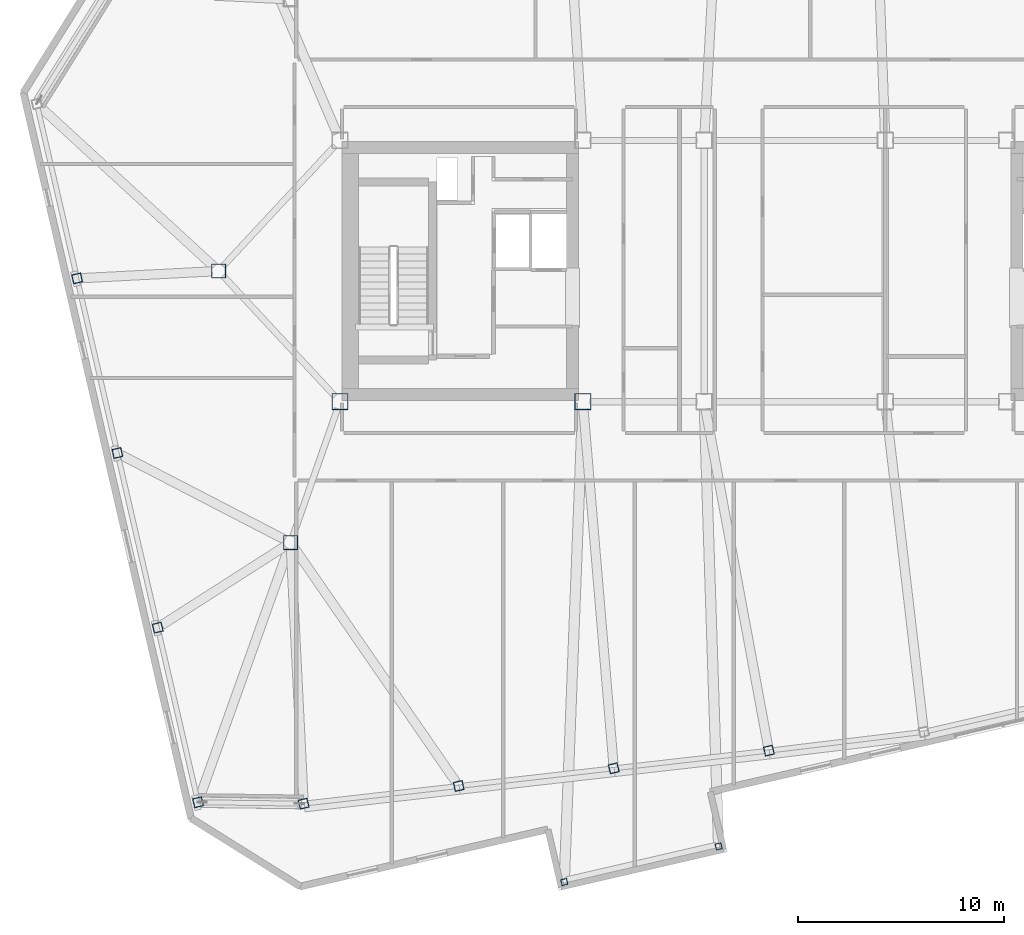
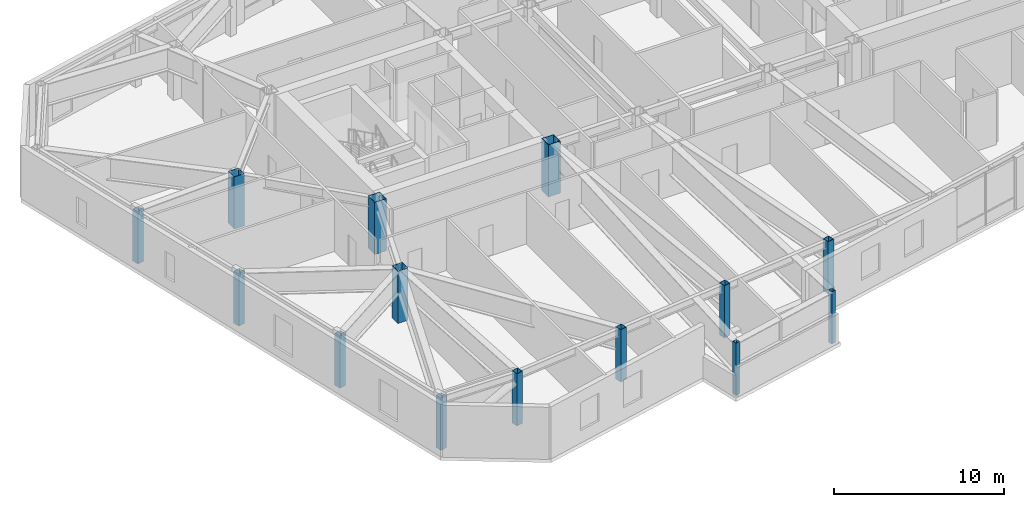
# One storey, part 1 of 21: 14 columns.
"""IFC4 building model written with IfcOpenShell, lengths in metres."""

import ifcopenshell
import ifcopenshell.guid

model = None  # the IFC model being written
_history = None  # IfcOwnerHistory: only IFC2X3 demands one
_inside = {}  # id of a spatial element -> (the spatial element, [elements in it])
_under = {}  # id of a project, library or spatial element -> (it, [spatial elements below it])
_declared = {}  # id of a project -> (the project, [libraries it declares])
_typed = {}  # id of a type object -> (the type object, [elements of that type])
_made_of = {}  # id of a material, layer set ... -> (it, [elements and type objects made of it])


def new_model(schema):
    """Start an empty IFC model of exactly this schema.

    Asked for "IFC4X3", IfcOpenShell would pick the latest addendum, in which some entities
    have other attributes; the version numbers below select the first issue.
    IFC2X3 requires an IfcOwnerHistory on every rooted entity: one is made here for all.
    """
    global model, _history
    if schema == "IFC4X3":
        model = ifcopenshell.file(schema_version=(4, 3, 0, 0))
    else:
        model = ifcopenshell.file(schema=schema)
    _inside.clear()
    _under.clear()
    _declared.clear()
    _typed.clear()
    _made_of.clear()
    _history = None
    if model.schema == "IFC2X3":
        org = make("IfcOrganization", Name="unknown")
        user = make(
            "IfcPersonAndOrganization",
            ThePerson=make("IfcPerson", FamilyName="unknown"),
            TheOrganization=org,
        )
        app = make(
            "IfcApplication",
            ApplicationDeveloper=org,
            Version="unknown",
            ApplicationFullName="unknown",
            ApplicationIdentifier="unknown",
        )
        _history = make(
            "IfcOwnerHistory",
            OwningUser=user,
            OwningApplication=app,
            ChangeAction="ADDED",
            CreationDate=0,
        )
    return model


def make(cls, **values):
    """One entity of the class cls with the attributes given. An attribute that is None is left unset."""
    return model.create_entity(
        cls, **{name: value for name, value in values.items() if value is not None}
    )


def rooted(cls, **values):
    """An entity with a GlobalId (a new one), such as an element, a storey or a relation."""
    return make(cls, GlobalId=ifcopenshell.guid.new(), OwnerHistory=_history, **values)


def si_unit(unit_type, name, prefix=None):
    """IfcSIUnit, for example si_unit("LENGTHUNIT", "METRE", prefix="MILLI")."""
    return make("IfcSIUnit", UnitType=unit_type, Prefix=prefix, Name=name)


def assignment(units):
    """IfcUnitAssignment: the units of a project."""
    return None if units is None else make("IfcUnitAssignment", Units=units)


def point(xyz):
    """IfcCartesianPoint."""
    return None if xyz is None else make("IfcCartesianPoint", Coordinates=xyz)


def direction(xyz):
    """IfcDirection."""
    return None if xyz is None else make("IfcDirection", DirectionRatios=xyz)


def frame(location, z_axis=None, x_axis=None):
    """IfcAxis2Placement3D, a coordinate frame: its origin and axes. An axis left out is left unset."""
    return make(
        "IfcAxis2Placement3D",
        Location=point(location),
        Axis=direction(z_axis),
        RefDirection=direction(x_axis),
    )


def frame_2d(location, x_axis=None):
    """IfcAxis2Placement2D, a coordinate frame in the plane: its origin and x axis."""
    return make(
        "IfcAxis2Placement2D", Location=point(location), RefDirection=direction(x_axis)
    )


def origin():
    """The frame at (0, 0, 0) with its axes left unset."""
    return frame((0.0, 0.0, 0.0))


def origin_2d():
    """The frame at (0, 0) in the plane with its x axis left unset."""
    return frame_2d((0.0, 0.0))


def place(relative_to, where):
    """IfcLocalPlacement: puts the frame where relative to a parent placement (None: the world)."""
    return make(
        "IfcLocalPlacement", PlacementRelTo=relative_to, RelativePlacement=where
    )


def context(
    kind, dimensions, precision=None, world=None, true_north=None, identifier=None
):
    """IfcGeometricRepresentationContext, for example the 3D "Model" context."""
    return make(
        "IfcGeometricRepresentationContext",
        ContextIdentifier=identifier,
        ContextType=kind,
        CoordinateSpaceDimension=dimensions,
        Precision=precision,
        WorldCoordinateSystem=world,
        TrueNorth=true_north,
    )


def subcontext(parent, identifier, kind, view, scale=None):
    """IfcGeometricRepresentationSubContext, for example "Body" below "Model"."""
    return make(
        "IfcGeometricRepresentationSubContext",
        ContextIdentifier=identifier,
        ContextType=kind,
        ParentContext=parent,
        TargetScale=scale,
        TargetView=view,
    )


def project(units=None, contexts=None):
    """IfcProject with its units and contexts."""
    return rooted(
        "IfcProject",
        Name="project",
        RepresentationContexts=contexts,
        UnitsInContext=assignment(units),
    )


def spatial(cls, under=None, at=None, **own):
    """A site, building, storey or space (cls), placed at a placement, below another one or the project."""
    s = rooted(cls, ObjectPlacement=at, **own)
    if under is not None:
        _under.setdefault(under.id(), (under, []))[1].append(s)
    return s


def profile(cls, at=None, kind="AREA", **sizes):
    """A parametric profile (cls). Its sizes go by their IFC names, for example OverallWidth=200.0."""
    return make(cls, ProfileType=kind, Position=at, **sizes)


def hollow_rectangle(**sizes):
    """IfcRectangleHollowProfileDef."""
    return profile("IfcRectangleHollowProfileDef", **sizes)


def extrude(swept, where, along, depth):
    """IfcExtrudedAreaSolid: the profile swept, set in the frame where, extruded along a direction by depth."""
    return make(
        "IfcExtrudedAreaSolid",
        SweptArea=swept,
        Position=where,
        ExtrudedDirection=direction(along),
        Depth=depth,
    )


def shape(context_of_items, identifier, shape_type, items):
    """IfcShapeRepresentation: the items that make up one representation, for example the "Body"."""
    return make(
        "IfcShapeRepresentation",
        ContextOfItems=context_of_items,
        RepresentationIdentifier=identifier,
        RepresentationType=shape_type,
        Items=items,
    )


def material(Name=None, Category=None):
    """IfcMaterial."""
    return make("IfcMaterial", Name=Name, Category=Category)


def material_profile(
    of_material, cross_section, Name=None, Category=None, Priority=None
):
    """IfcMaterialProfile: a cross section and its material."""
    return make(
        "IfcMaterialProfile",
        Name=Name,
        Material=of_material,
        Profile=cross_section,
        Priority=Priority,
        Category=Category,
    )


def profile_set(profiles, Name=None, composite=None):
    """IfcMaterialProfileSet."""
    return make(
        "IfcMaterialProfileSet",
        Name=Name,
        MaterialProfiles=profiles,
        CompositeProfile=composite,
    )


def made_of(thing, what):
    """Note that an element or type object is made of a material, layer set ...; save() writes the relation."""
    if what is not None:
        _made_of.setdefault(what.id(), (what, []))[1].append(thing)
    return thing


def type_object(cls, material=None, **own):
    """A type object (cls), such as IfcWallType, which elements share."""
    return made_of(rooted(cls, **own), material)


def element(
    cls,
    number,
    at=None,
    inside=None,
    cuts=None,
    type_object=None,
    material=None,
    context=None,
    identifier="Body",
    shape_type=None,
    held_by="IfcProductDefinitionShape",
    body=None,
    shapes=None,
    **own,
):
    """One element of the class cls, such as IfcWall. Its Tag is "e" and its number.

    at: its placement. inside: the storey or other place that contains it. cuts: it is an
    opening in that element (IfcRelVoidsElement). A single representation is given by context,
    identifier, shape_type and body (its items); several are given by shapes. held_by: the class
    of the entity that holds the representations. save() writes the other relations.
    """
    e = rooted(cls, Tag="e%d" % number, ObjectPlacement=at, **own)
    if body is not None:
        shapes = [shape(context, identifier, shape_type, body)]
    if shapes is not None:
        e.Representation = make(held_by, Representations=shapes)
    if inside is not None:
        _inside.setdefault(inside.id(), (inside, []))[1].append(e)
    if cuts is not None:
        rooted(
            "IfcRelVoidsElement", RelatingBuildingElement=cuts, RelatedOpeningElement=e
        )
    if type_object is not None:
        _typed.setdefault(type_object.id(), (type_object, []))[1].append(e)
    return made_of(e, material)


def aggregate(whole, parts):
    """IfcRelAggregates: a whole, such as a stair, and the parts it consists of."""
    return rooted("IfcRelAggregates", RelatingObject=whole, RelatedObjects=parts)


def save(model, path):
    """Write the relations noted so far, then the file.

    IfcRelAggregates (storeys below a building ...), IfcRelContainedInSpatialStructure (elements
    in a storey), IfcRelDefinesByType, IfcRelAssociatesMaterial and IfcRelDeclares: one each for
    every whole, place, type object, material and project.
    """
    for whole, parts in _under.values():
        aggregate(whole, parts)
    for where, things in _inside.values():
        rooted(
            "IfcRelContainedInSpatialStructure",
            RelatedElements=things,
            RelatingStructure=where,
        )
    for kind, things in _typed.values():
        rooted("IfcRelDefinesByType", RelatedObjects=things, RelatingType=kind)
    for what, things in _made_of.values():
        rooted("IfcRelAssociatesMaterial", RelatedObjects=things, RelatingMaterial=what)
    for by, libraries in _declared.values():
        rooted("IfcRelDeclares", RelatingContext=by, RelatedDefinitions=libraries)
    model.write(path)


model = new_model("IFC4")

# Units and contexts
model_context = context("Model", 3, precision=1e-05, world=origin(), true_north=direction((0.0, 1.0)))
body_context = subcontext(model_context, "Body", "Model", "MODEL_VIEW")
ifc_project = project(units=[si_unit("LENGTHUNIT", "METRE"), si_unit("AREAUNIT", "SQUARE_METRE"), si_unit("VOLUMEUNIT", "CUBIC_METRE"), si_unit("PLANEANGLEUNIT", "RADIAN"), si_unit("MASSUNIT", "GRAM", prefix="KILO")], contexts=[model_context])

# Site, building, storey
site_placement = place(None, origin())
site = spatial("IfcSite", under=ifc_project, at=site_placement, CompositionType="ELEMENT")
building_placement = place(site_placement, origin())
building = spatial("IfcBuilding", under=site, at=building_placement, Name="Tavrogorsk Clinical Tower", CompositionType="ELEMENT")
storey_placement = place(building_placement, frame((0.0, 0.0, 281.0)))
storey = spatial("IfcBuildingStorey", under=building, at=storey_placement, Name="L65", CompositionType="ELEMENT", Elevation=281.0)

# Columns
ifc_material_1 = material(Name="Structural steel S390", Category="steel")
ifc_material_profile_1 = material_profile(ifc_material_1, hollow_rectangle(XDim=0.300048828125, YDim=0.300048828125, WallThickness=0.01611328125, at=origin_2d()), Name="SHS-300x300x16")
ifc_profile_set_1 = profile_set([ifc_material_profile_1], Name="Structural steel S390")
column_type_1 = type_object("IfcColumnType", Name="DayroomCol_SHS300", PredefinedType="COLUMN", material=ifc_profile_set_1)
for number, where, z_axis, x_axis, name in (
    (1, (-11.20068359375, -29.694580078125, 0.0), (0.0, 0.0, 1.0), (0.974370064785, 0.224951054344, 0.0), "L65 Day-Room Box Column DRB-09-L"),
    (2, (-3.697998046875, -27.962646484375, 0.0), (0.0, 0.0, 1.0), (0.974370064785, 0.224951054344, 0.0), "L65 Day-Room Box Column DRB-09-R"),
):
    element("IfcColumn", number, at=place(storey_placement, frame(where, z_axis=z_axis, x_axis=x_axis)), inside=storey, type_object=column_type_1, Name=name, PredefinedType="COLUMN", context=body_context, shape_type="SweptSolid", body=[
        extrude(hollow_rectangle(XDim=0.300048828125, YDim=0.300048828125, WallThickness=0.01611328125, at=origin_2d()), origin(), (0.0, 0.0, 1.0), 3.739990234375),
    ])
ifc_material_2 = material(Name="Structural steel S440", Category="steel")
ifc_material_profile_2 = material_profile(ifc_material_2, hollow_rectangle(XDim=0.699951171875, YDim=0.699951171875, WallThickness=0.031982421875, at=origin_2d()), Name="BOX-700x700x32")
ifc_profile_set_2 = profile_set([ifc_material_profile_2], Name="Structural steel S440")
column_type_2 = type_object("IfcColumnType", Name="MegaCol_BOX700", PredefinedType="COLUMN", material=ifc_profile_set_2)
for number, where, z_axis, x_axis, name in (
    (3, (-24.5, -13.199951171875, 0.0), (0.0, 0.0, 1.0), (1.0, 0.0, 0.0), "L65 Spine Pilotis Column MC-P1"),
    (4, (-28.0, 0.0, 0.0), (0.0, 0.0, 1.0), (1.0, 0.0, 0.0), "L65 Spine Pilotis Column MC-P5"),
):
    element("IfcColumn", number, at=place(storey_placement, frame(where, z_axis=z_axis, x_axis=x_axis)), inside=storey, type_object=column_type_2, Name=name, PredefinedType="COLUMN", context=body_context, shape_type="SweptSolid", body=[
        extrude(hollow_rectangle(XDim=0.699951171875, YDim=0.699951171875, WallThickness=0.031982421875, at=origin_2d()), origin(), (0.0, 0.0, 1.0), 3.739990234375),
    ])
ifc_material_3 = material(Name="Structural steel S440", Category="steel")
ifc_material_profile_3 = material_profile(ifc_material_3, hollow_rectangle(XDim=0.800048828125, YDim=0.800048828125, WallThickness=0.035888671875, at=origin_2d()), Name="BOX-800x800x36")
ifc_profile_set_3 = profile_set([ifc_material_profile_3], Name="Structural steel S440")
column_type_3 = type_object("IfcColumnType", Name="MegaCol_BOX800", PredefinedType="COLUMN", material=ifc_profile_set_3)
for number, where, z_axis, x_axis, name in (
    (5, (-22.10009765625, -6.35009765625, 0.0), (0.0, 0.0, 1.0), (1.0, 0.0, 0.0), "L65 Mega Column MC-W1"),
    (6, (-10.300048828125, -6.35009765625, 0.0), (0.0, 0.0, 1.0), (1.0, 0.0, 0.0), "L65 Mega Column MC-W3"),
):
    element("IfcColumn", number, at=place(storey_placement, frame(where, z_axis=z_axis, x_axis=x_axis)), inside=storey, type_object=column_type_3, Name=name, PredefinedType="COLUMN", context=body_context, shape_type="SweptSolid", body=[
        extrude(hollow_rectangle(XDim=0.800048828125, YDim=0.800048828125, WallThickness=0.035888671875, at=origin_2d()), origin(), (0.0, 0.0, 1.0), 3.739990234375),
    ])
ifc_material_4 = material(Name="Structural steel S440", Category="steel")
ifc_material_profile_4 = material_profile(ifc_material_4, hollow_rectangle(XDim=0.449951171875, YDim=0.449951171875, WallThickness=0.02197265625, at=origin_2d()), Name="BOX-450x450x22")
ifc_profile_set_4 = profile_set([ifc_material_profile_4], Name="Structural steel S440")
column_type_4 = type_object("IfcColumnType", Name="PerimCol_B5_BOX450", PredefinedType="COLUMN", material=ifc_profile_set_4)
for number, where, z_axis, x_axis, name in (
    (7, (-23.866943359375, -25.8857421875, 0.0), (0.0, 0.0, 1.0), (0.974370064785, 0.224951054344, 0.0), "L65 Perimeter Column S1"),
    (8, (-16.330322265625, -25.027099609375, 0.0), (0.0, 0.0, 1.0), (0.974370064785, 0.224951054344, 0.0), "L65 Perimeter Column S2"),
    (9, (-8.7939453125, -24.16845703125, 0.0), (0.0, 0.0, 1.0), (0.974370064785, 0.224951054344, 0.0), "L65 Perimeter Column S3"),
    (10, (-1.257568359375, -23.309814453125, 0.0), (0.0, 0.0, 1.0), (0.974370064785, 0.224951054344, 0.0), "L65 Perimeter Column S4"),
    (11, (-34.876708984375, -0.358642578125, 0.0), (0.0, 0.0, 1.0), (0.974370064785, 0.224951054344, 0.0), "L65 Perimeter Column W2"),
    (12, (-32.917236328125, -8.845458984375, 0.0), (0.0, 0.0, 1.0), (0.974370064785, 0.224951054344, 0.0), "L65 Perimeter Column W3"),
    (13, (-30.9580078125, -17.332275390625, 0.0), (0.0, 0.0, 1.0), (0.974370064785, 0.224951054344, 0.0), "L65 Perimeter Column W4"),
    (14, (-28.99853515625, -25.819091796875, 0.0), (0.0, 0.0, 1.0), (0.974370064785, 0.224951054344, 0.0), "L65 Perimeter Column W5"),
):
    element("IfcColumn", number, at=place(storey_placement, frame(where, z_axis=z_axis, x_axis=x_axis)), inside=storey, type_object=column_type_4, Name=name, PredefinedType="COLUMN", context=body_context, shape_type="SweptSolid", body=[
        extrude(hollow_rectangle(XDim=0.449951171875, YDim=0.449951171875, WallThickness=0.02197265625, at=origin_2d()), origin(), (0.0, 0.0, 1.0), 3.739990234375),
    ])

save(model, "model.ifc")
